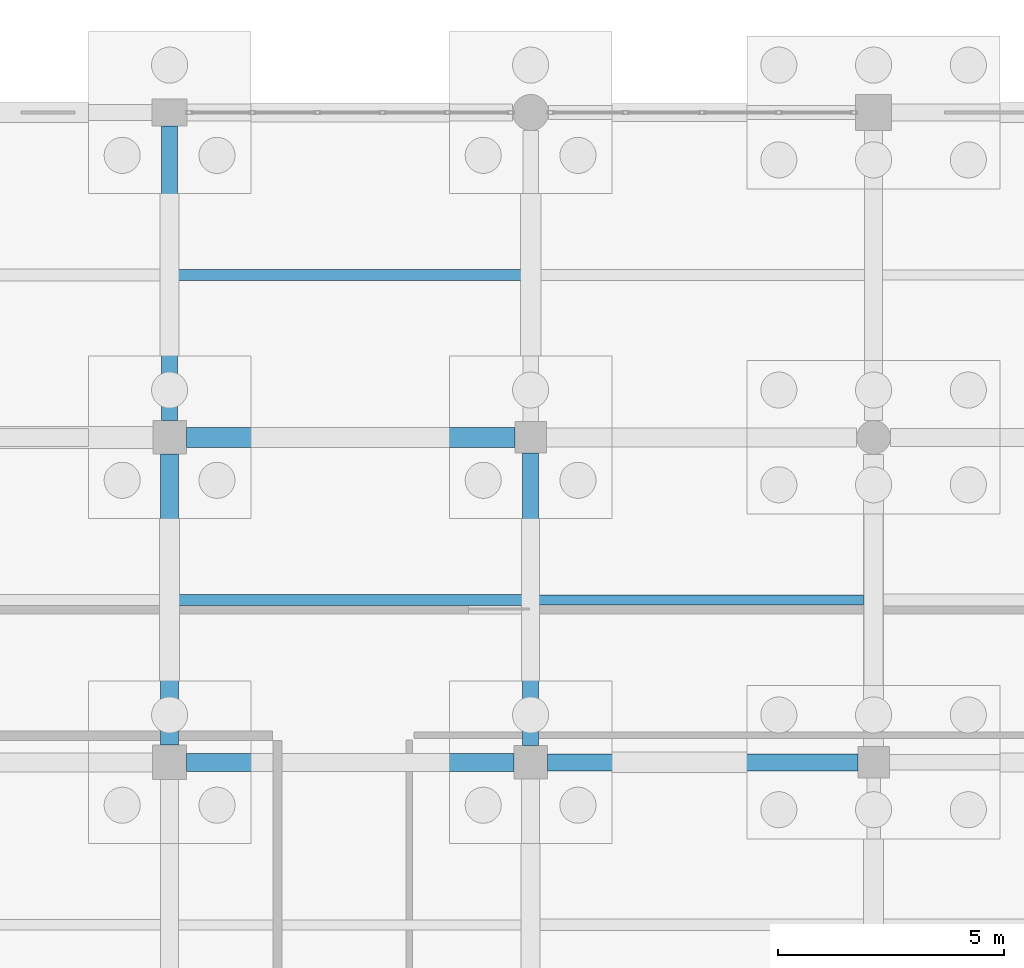
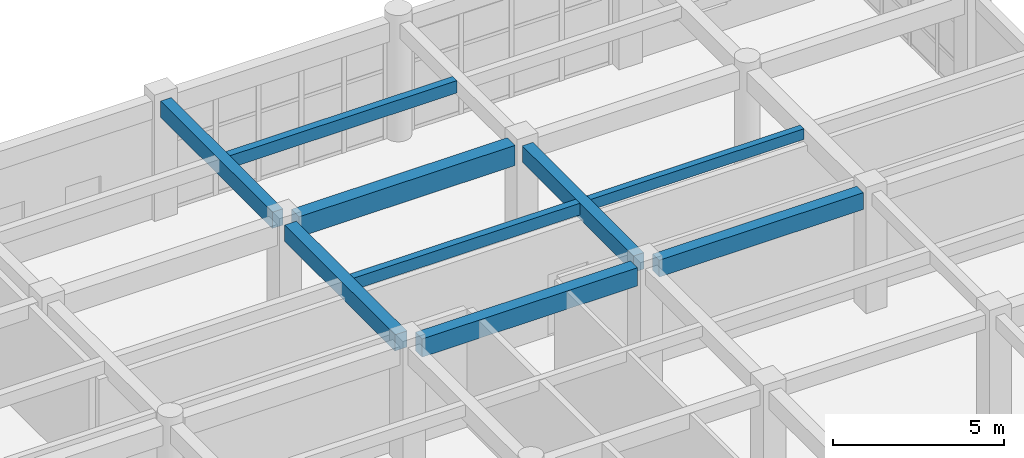
# One storey, part 104 of 166: 9 beams.
"""IFC4 building model written with IfcOpenShell, lengths in metres."""

from ifc_helpers import new_model, si_unit, direction, frame, origin, origin_2d, place, context, subcontext, project, spatial, rectangle, extrude, material, material_profile, profile_set, type_object, element, save


model = new_model("IFC4")

# Units and contexts
model_context = context("Model", 3, precision=1e-05, world=origin(), true_north=direction((0.0, 1.0)))
body_context = subcontext(model_context, "Body", "Model", "MODEL_VIEW")
ifc_project = project(units=[si_unit("LENGTHUNIT", "METRE"), si_unit("AREAUNIT", "SQUARE_METRE"), si_unit("VOLUMEUNIT", "CUBIC_METRE"), si_unit("PLANEANGLEUNIT", "RADIAN"), si_unit("MASSUNIT", "GRAM", prefix="KILO")], contexts=[model_context])

# Site, building, storey
site_placement = place(None, origin())
site = spatial("IfcSite", under=ifc_project, at=site_placement, CompositionType="ELEMENT")
building_placement = place(site_placement, origin())
building = spatial("IfcBuilding", under=site, at=building_placement, Name="Kharva Crest Polytechnic", CompositionType="ELEMENT")
storey_placement = place(building_placement, origin())
storey = spatial("IfcBuildingStorey", under=building, at=storey_placement, Name="L00", CompositionType="ELEMENT", Elevation=0.0)

# Beams
ifc_material = material(Name="Concrete C35/45", Category="concrete")
ifc_material_profile_1 = material_profile(ifc_material, rectangle(XDim=0.360107421875, YDim=0.580078125, at=origin_2d()), Name="RECT 360 X 580")
ifc_profile_set_1 = profile_set([ifc_material_profile_1], Name="Concrete C35/45")
beam_type_1 = type_object("IfcBeamType", Name="BM-RC-360X580", PredefinedType="BEAM", material=ifc_profile_set_1)
beam_1_placement = place(storey_placement, frame((160.800048828125, 115.169921875, 3.929931640625), z_axis=(0.0, 1.0, 0.0), x_axis=(-1.0, 0.0, 0.0)))
element("IfcBeam", 1, at=beam_1_placement, inside=storey, type_object=beam_type_1, Name="L00 Girder 21/R-S", PredefinedType="BEAM", context=body_context, shape_type="SweptSolid", body=[
    extrude(rectangle(XDim=0.360107421875, YDim=0.580078125, at=origin_2d()), origin(), (0.0, 0.0, 1.0), 6.530029296875),
])
beam_2_placement = place(storey_placement, frame((168.800048828125, 107.969970703125, 3.929931640625), z_axis=(0.0, 1.0, 0.0), x_axis=(-1.0, 0.0, 0.0)))
element("IfcBeam", 2, at=beam_2_placement, inside=storey, type_object=beam_type_1, Name="L00 Girder 22/Q-R", PredefinedType="BEAM", context=body_context, shape_type="SweptSolid", body=[
    extrude(rectangle(XDim=0.360107421875, YDim=0.580078125, at=origin_2d()), origin(), (0.0, 0.0, 1.0), 6.47998046875),
])
ifc_material_profile_2 = material_profile(ifc_material, rectangle(XDim=0.3798828125, YDim=0.60009765625, at=origin_2d()), Name="RECT 380 X 600")
ifc_profile_set_2 = profile_set([ifc_material_profile_2], Name="Concrete C35/45")
beam_type_2 = type_object("IfcBeamType", Name="BM-RC-380X600", PredefinedType="BEAM", material=ifc_profile_set_2)
beam_3_placement = place(storey_placement, frame((169.169921875, 107.60009765625, 3.919921875), z_axis=(1.0, 0.0, 0.0), x_axis=(0.0, 1.0, 0.0)))
element("IfcBeam", 3, at=beam_3_placement, inside=storey, type_object=beam_type_2, Name="L00 Beam Q/22-23", PredefinedType="BEAM", context=body_context, shape_type="SweptSolid", body=[
    extrude(rectangle(XDim=0.3798828125, YDim=0.60009765625, at=origin_2d()), origin(), (0.0, 0.0, 1.0), 6.880126953125),
])
ifc_material_profile_3 = material_profile(ifc_material, rectangle(XDim=0.39990234375, YDim=0.580078125, at=origin_2d()), Name="RECT 400 X 580")
ifc_profile_set_3 = profile_set([ifc_material_profile_3], Name="Concrete C35/45")
beam_type_3 = type_object("IfcBeamType", Name="BM-RC-400X580", PredefinedType="BEAM", material=ifc_profile_set_3)
beam_4_placement = place(storey_placement, frame((160.800048828125, 107.97998046875, 3.929931640625), z_axis=(0.0, 1.0, 0.0), x_axis=(-1.0, 0.0, 0.0)))
element("IfcBeam", 4, at=beam_4_placement, inside=storey, type_object=beam_type_3, Name="L00 Girder 21/Q-R", PredefinedType="BEAM", context=body_context, shape_type="SweptSolid", body=[
    extrude(rectangle(XDim=0.39990234375, YDim=0.580078125, at=origin_2d()), origin(), (0.0, 0.0, 1.0), 6.449951171875),
])
ifc_material_profile_4 = material_profile(ifc_material, rectangle(XDim=0.39990234375, YDim=0.64990234375, at=origin_2d()), Name="RECT 400 X 650")
ifc_profile_set_4 = profile_set([ifc_material_profile_4], Name="Concrete C35/45")
beam_type_4 = type_object("IfcBeamType", Name="BM-RC-400X650", PredefinedType="BEAM", material=ifc_profile_set_4)
beam_5_placement = place(storey_placement, frame((161.179931640625, 107.60009765625, 3.89501953125), z_axis=(1.0, 0.0, 0.0), x_axis=(0.0, 1.0, 0.0)))
element("IfcBeam", 5, at=beam_5_placement, inside=storey, type_object=beam_type_4, Name="L00 Beam Q/21-22", PredefinedType="BEAM", context=body_context, shape_type="SweptSolid", body=[
    extrude(rectangle(XDim=0.39990234375, YDim=0.64990234375, at=origin_2d()), origin(), (0.0, 0.0, 1.0), 7.25),
])
ifc_material_profile_5 = material_profile(ifc_material, rectangle(XDim=0.449951171875, YDim=0.719970703125, at=origin_2d()), Name="RECT 450 X 720")
ifc_profile_set_5 = profile_set([ifc_material_profile_5], Name="Concrete C35/45")
beam_type_5 = type_object("IfcBeamType", Name="BM-RC-450X720", PredefinedType="BEAM", material=ifc_profile_set_5)
beam_6_placement = place(storey_placement, frame((161.169921875, 114.800048828125, 3.860107421875), z_axis=(1.0, 0.0, 0.0), x_axis=(0.0, 1.0, 0.0)))
element("IfcBeam", 6, at=beam_6_placement, inside=storey, type_object=beam_type_5, Name="L00 Beam R/21-22", PredefinedType="BEAM", context=body_context, shape_type="SweptSolid", body=[
    extrude(rectangle(XDim=0.449951171875, YDim=0.719970703125, at=origin_2d()), origin(), (0.0, 0.0, 1.0), 7.280029296875),
])
ifc_material_profile_6 = material_profile(ifc_material, rectangle(XDim=0.219970703125, YDim=0.3798828125, at=origin_2d()), Name="RECT 220 X 380")
ifc_profile_set_6 = profile_set([ifc_material_profile_6], Name="Concrete C35/45")
beam_type_6 = type_object("IfcBeamType", Name="JS-RC-220X380", PredefinedType="JOIST", material=ifc_profile_set_6)
beam_7_placement = place(storey_placement, frame((168.97998046875, 111.199951171875, 4.030029296875), z_axis=(1.0, 0.0, 0.0), x_axis=(0.0, 1.0, 0.0)))
element("IfcBeam", 7, at=beam_7_placement, inside=storey, type_object=beam_type_6, Name="L00 Floor Joist 42", PredefinedType="JOIST", context=body_context, shape_type="SweptSolid", body=[
    extrude(rectangle(XDim=0.219970703125, YDim=0.3798828125, at=origin_2d()), origin(), (0.0, 0.0, 1.0), 7.195068359375),
])
ifc_material_profile_7 = material_profile(ifc_material, rectangle(XDim=0.239990234375, YDim=0.419921875, at=origin_2d()), Name="RECT 240 X 420")
ifc_profile_set_7 = profile_set([ifc_material_profile_7], Name="Concrete C35/45")
beam_type_7 = type_object("IfcBeamType", Name="JS-RC-240X420", PredefinedType="JOIST", material=ifc_profile_set_7)
beam_8_placement = place(storey_placement, frame((161.0, 111.199951171875, 4.010009765625), z_axis=(1.0, 0.0, 0.0), x_axis=(0.0, 1.0, 0.0)))
element("IfcBeam", 8, at=beam_8_placement, inside=storey, type_object=beam_type_7, Name="L00 Floor Joist 41", PredefinedType="JOIST", context=body_context, shape_type="SweptSolid", body=[
    extrude(rectangle(XDim=0.239990234375, YDim=0.419921875, at=origin_2d()), origin(), (0.0, 0.0, 1.0), 7.6201171875),
])
ifc_material_profile_8 = material_profile(ifc_material, rectangle(XDim=0.25, YDim=0.43994140625, at=origin_2d()), Name="RECT 250 X 440")
ifc_profile_set_8 = profile_set([ifc_material_profile_8], Name="Concrete C35/45")
beam_type_8 = type_object("IfcBeamType", Name="JS-RC-250X440", PredefinedType="JOIST", material=ifc_profile_set_8)
beam_9_placement = place(storey_placement, frame((160.97998046875, 118.39990234375, 4.0), z_axis=(1.0, 0.0, 0.0), x_axis=(0.0, 1.0, 0.0)))
element("IfcBeam", 9, at=beam_9_placement, inside=storey, type_object=beam_type_8, Name="L00 Floor Joist 52", PredefinedType="JOIST", context=body_context, shape_type="SweptSolid", body=[
    extrude(rectangle(XDim=0.25, YDim=0.43994140625, at=origin_2d()), origin(), (0.0, 0.0, 1.0), 7.64990234375),
])

save(model, "model.ifc")
